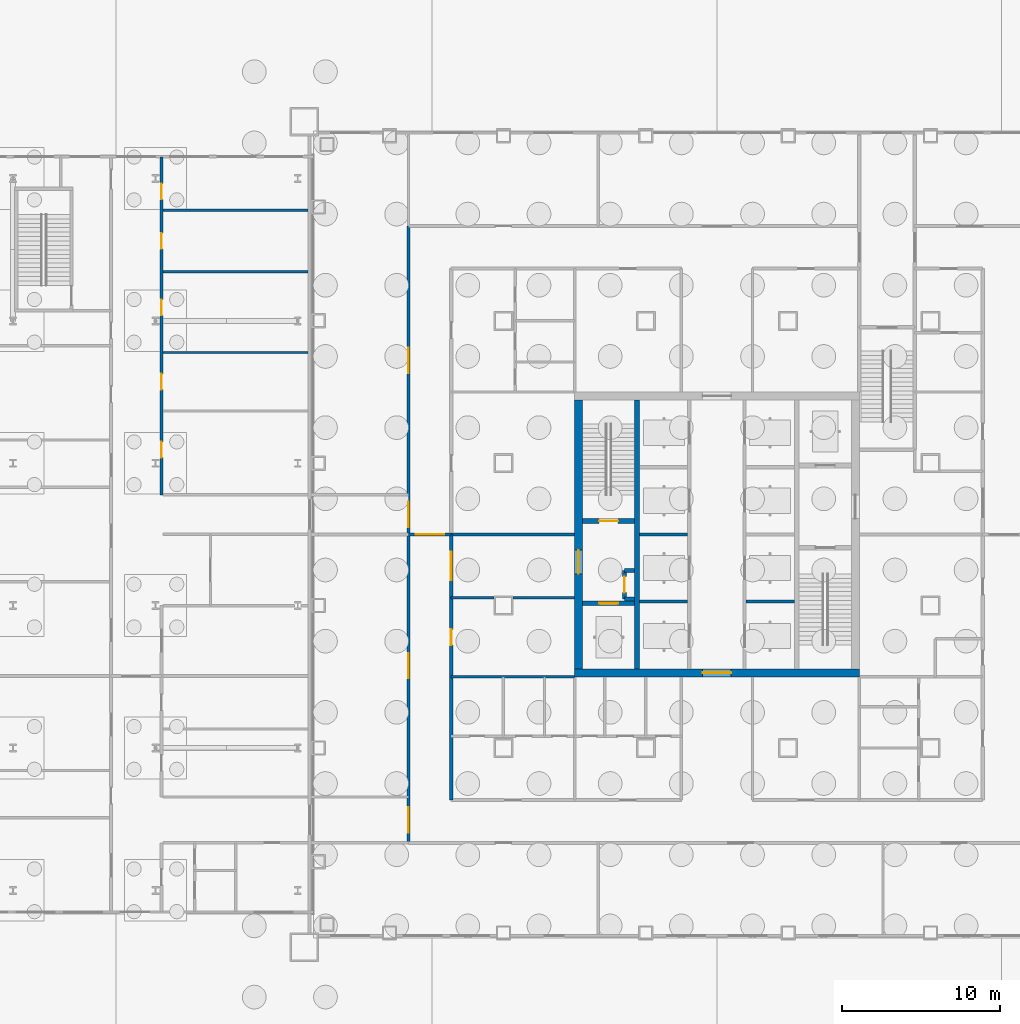
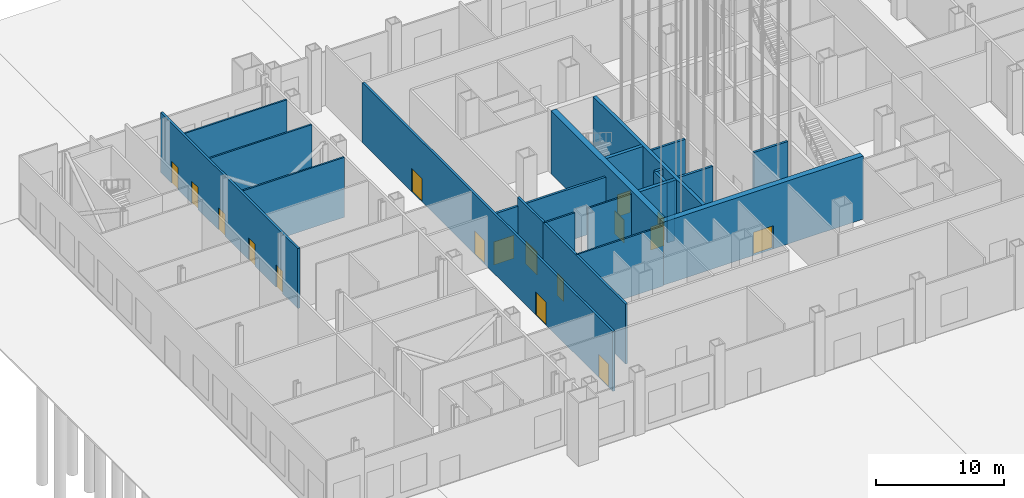
# One storey, part 7 of 36: 23 walls, 17 doors, 17 openings.
"""IFC4 building model written with IfcOpenShell, lengths in metres."""

from ifc_helpers import new_model, si_unit, direction, frame, frame_2d, origin, place, context, subcontext, project, spatial, rectangle, extrude, material, layer, layer_set, type_object, element, fill, save


model = new_model("IFC4")

# Units and contexts
model_context = context("Model", 3, precision=1e-05, world=origin(), true_north=direction((0.0, 1.0)))
body_context = subcontext(model_context, "Body", "Model", "MODEL_VIEW")
ifc_project = project(units=[si_unit("LENGTHUNIT", "METRE"), si_unit("AREAUNIT", "SQUARE_METRE"), si_unit("VOLUMEUNIT", "CUBIC_METRE"), si_unit("PLANEANGLEUNIT", "RADIAN"), si_unit("MASSUNIT", "GRAM", prefix="KILO")], contexts=[model_context])

# Site, building, storey
site_placement = place(None, origin())
site = spatial("IfcSite", under=ifc_project, at=site_placement, CompositionType="ELEMENT")
building_placement = place(site_placement, origin())
building = spatial("IfcBuilding", under=site, at=building_placement, Name="Malebo Sky Hospital", CompositionType="ELEMENT")
storey_placement = place(building_placement, origin())
storey = spatial("IfcBuildingStorey", under=building, at=storey_placement, Name="L00", CompositionType="ELEMENT", Elevation=0.0)

# Walls
ifc_material_1 = material(Name="Concrete C80/95", Category="concrete")
ifc_layer_1 = layer(ifc_material_1, 0.199951171875)
ifc_layer_set_1 = layer_set([ifc_layer_1], Name="CORE INNER WALL 200")
wall_type_1 = type_object("IfcWallType", Name="CORE INNER WALL 200", PredefinedType="SHEAR", material=ifc_layer_set_1)
for number, where, z_axis, x_axis, name in (
    (1, (55.10009765625, 57.75, 0.0), (0.0, 0.0, 1.0), (1.0, 0.0, 0.0), "Core wall SW0 L00"),
    (2, (61.85009765625, 57.75, 0.0), (0.0, 0.0, 1.0), (1.0, 0.0, 0.0), "Core wall SE0 L00"),
    (3, (55.10009765625, 62.0, 0.0), (0.0, 0.0, 1.0), (1.0, 0.0, 0.0), "Core wall SW1 L00"),
):
    element("IfcWall", number, at=place(storey_placement, frame(where, z_axis=z_axis, x_axis=x_axis)), inside=storey, type_object=wall_type_1, Name=name, PredefinedType="SHEAR", context=body_context, shape_type="SweptSolid", body=[
        extrude(rectangle(XDim=3.0498046875, YDim=0.199951171875, at=frame_2d((1.52490234375, 0.0))), origin(), (0.0, 0.0, 1.0), 6.0),
    ])
ifc_layer_2 = layer(ifc_material_1, 0.300048828125)
ifc_layer_set_2 = layer_set([ifc_layer_2], Name="CORE INNER WALL 300")
wall_type_2 = type_object("IfcWallType", Name="CORE INNER WALL 300", PredefinedType="SHEAR", material=ifc_layer_set_2)
wall_1_placement = place(storey_placement, frame((54.949951171875, 53.5, 0.0), z_axis=(0.0, 0.0, 1.0), x_axis=(0.0, 1.0, 0.0)))
element("IfcWall", 4, at=wall_1_placement, inside=storey, type_object=wall_type_2, Name="Core wall XW L00", PredefinedType="SHEAR", context=body_context, shape_type="SweptSolid", body=[
    extrude(rectangle(XDim=17.0, YDim=0.300048828125, at=frame_2d((8.5, 0.0))), origin(), (0.0, 0.0, 1.0), 6.0),
])

# Wall, opening, door
wall_2_placement = place(storey_placement, frame((51.5, 62.85009765625, 0.0), z_axis=(0.0, 0.0, 1.0), x_axis=(1.0, 0.0, 0.0)))
wall_2 = element("IfcWall", 5, at=wall_2_placement, inside=storey, type_object=wall_type_2, Name="Core wall W1 L00", PredefinedType="SHEAR", context=body_context, shape_type="SweptSolid", body=[
    extrude(rectangle(XDim=3.300048828125, YDim=0.300048828125, at=frame_2d((1.64990234375, 0.0))), origin(), (0.0, 0.0, 1.0), 6.0),
])
opening_1_placement = place(wall_2_placement, frame((1.050048828125, 0.0, 0.0)))
opening_1 = element("IfcOpeningElement", 6, at=opening_1_placement, cuts=wall_2, Name="Opening D08", PredefinedType="OPENING", context=body_context, shape_type="SweptSolid", body=[
    extrude(rectangle(XDim=1.199951171875, YDim=2.10009765625, at=frame_2d((0.60009765625, 1.050048828125))), frame((0.0, 0.159912109375, 0.0), z_axis=(0.0, -1.0, 0.0), x_axis=(1.0, 0.0, 0.0)), (0.0, 0.0, 1.0), 0.320068359375),
])
ifc_material_2 = material(Name="Hardwood-faced door leaf in steel frame", Category="steel")
door_type_1 = type_object("IfcDoorType", Name="STAIR DOOR 1200", OperationType="SINGLE_SWING_LEFT", PredefinedType="DOOR", material=ifc_material_2)
door_1_placement = place(opening_1_placement, origin())
door_1 = element("IfcDoor", 7, at=door_1_placement, inside=storey, type_object=door_type_1, Name="Stair S1 door", OperationType="SINGLE_SWING_LEFT", OverallHeight=2.10009765625, OverallWidth=1.199951171875, PredefinedType="DOOR", context=body_context, shape_type="SweptSolid", body=[
    extrude(rectangle(XDim=1.199951171875, YDim=2.10009765625, at=frame_2d((0.60009765625, 1.050048828125))), frame((0.0, 0.02490234375, 0.0), z_axis=(0.0, -1.0, 0.0), x_axis=(1.0, 0.0, 0.0)), (0.0, 0.0, 1.0), 0.050048828125),
])
fill(opening_1, door_1)

wall_3_placement = place(storey_placement, frame((51.5, 57.64990234375, 0.0), z_axis=(0.0, 0.0, 1.0), x_axis=(1.0, 0.0, 0.0)))
wall_3 = element("IfcWall", 8, at=wall_3_placement, inside=storey, type_object=wall_type_2, Name="Core wall W2 L00", PredefinedType="SHEAR", context=body_context, shape_type="SweptSolid", body=[
    extrude(rectangle(XDim=3.300048828125, YDim=0.300048828125, at=frame_2d((1.64990234375, 0.0))), origin(), (0.0, 0.0, 1.0), 6.0),
])
opening_2_placement = place(wall_3_placement, frame((1.050048828125, 0.0, 0.0)))
opening_2 = element("IfcOpeningElement", 9, at=opening_2_placement, cuts=wall_3, Name="Opening LD2", PredefinedType="OPENING", context=body_context, shape_type="SweptSolid", body=[
    extrude(rectangle(XDim=1.199951171875, YDim=2.199951171875, at=frame_2d((0.60009765625, 1.10009765625))), frame((0.0, 0.159912109375, 0.0), z_axis=(0.0, -1.0, 0.0), x_axis=(1.0, 0.0, 0.0)), (0.0, 0.0, 1.0), 0.320068359375),
])
ifc_material_3 = material(Name="Stainless steel sliding landing door", Category="steel")
door_type_2 = type_object("IfcDoorType", Name="FIRE-FIGHTING LIFT LANDING DOOR 1200", OperationType="SLIDING_TO_LEFT", PredefinedType="DOOR", material=ifc_material_3)
door_2_placement = place(opening_2_placement, origin())
door_2 = element("IfcDoor", 10, at=door_2_placement, inside=storey, type_object=door_type_2, Name="Lift FL1 landing door", OperationType="SLIDING_TO_LEFT", OverallHeight=2.199951171875, OverallWidth=1.199951171875, PredefinedType="DOOR", context=body_context, shape_type="SweptSolid", body=[
    extrude(rectangle(XDim=1.199951171875, YDim=2.199951171875, at=frame_2d((0.60009765625, 1.10009765625))), frame((0.0, 0.02490234375, 0.0), z_axis=(0.0, -1.0, 0.0), x_axis=(1.0, 0.0, 0.0)), (0.0, 0.0, 1.0), 0.050048828125),
])
fill(opening_2, door_2)

ifc_layer_3 = layer(ifc_material_1, 0.5)
ifc_layer_set_3 = layer_set([ifc_layer_3], Name="CORE WALL 500")
wall_type_3 = type_object("IfcWallType", Name="CORE WALL 500", PredefinedType="SHEAR", material=ifc_layer_set_3)
wall_4_placement = place(storey_placement, frame((51.0, 53.25, 0.0), z_axis=(0.0, 0.0, 1.0), x_axis=(1.0, 0.0, 0.0)))
wall_4 = element("IfcWall", 11, at=wall_4_placement, inside=storey, type_object=wall_type_3, Name="Core wall S L00", PredefinedType="SHEAR", context=body_context, shape_type="SweptSolid", body=[
    extrude(rectangle(XDim=18.0, YDim=0.5, at=frame_2d((9.0, 0.0))), origin(), (0.0, 0.0, 1.0), 6.0),
])
opening_3_placement = place(wall_4_placement, frame((8.10009765625, 0.0, 0.0)))
opening_3 = element("IfcOpeningElement", 12, at=opening_3_placement, cuts=wall_4, Name="Opening D06", PredefinedType="OPENING", context=body_context, shape_type="SweptSolid", body=[
    extrude(rectangle(XDim=1.800048828125, YDim=2.199951171875, at=frame_2d((0.89990234375, 1.10009765625))), frame((0.0, 0.260009765625, 0.0), z_axis=(0.0, -1.0, 0.0), x_axis=(1.0, 0.0, 0.0)), (0.0, 0.0, 1.0), 0.52001953125),
])
door_type_3 = type_object("IfcDoorType", Name="LOBBY DOOR PAIR 1800", OperationType="DOUBLE_DOOR_SINGLE_SWING", PredefinedType="DOOR", material=ifc_material_2)
door_3_placement = place(opening_3_placement, origin())
door_3 = element("IfcDoor", 13, at=door_3_placement, inside=storey, type_object=door_type_3, Name="Lift lobby door south", OperationType="DOUBLE_DOOR_SINGLE_SWING", OverallHeight=2.199951171875, OverallWidth=1.800048828125, PredefinedType="DOOR", context=body_context, shape_type="SweptSolid", body=[
    extrude(rectangle(XDim=1.800048828125, YDim=2.199951171875, at=frame_2d((0.89990234375, 1.10009765625))), frame((0.0, 0.02490234375, 0.0), z_axis=(0.0, -1.0, 0.0), x_axis=(1.0, 0.0, 0.0)), (0.0, 0.0, 1.0), 0.050048828125),
])
fill(opening_3, door_3)

wall_5_placement = place(storey_placement, frame((51.25, 53.5, 0.0), z_axis=(0.0, 0.0, 1.0), x_axis=(0.0, 1.0, 0.0)))
wall_5 = element("IfcWall", 14, at=wall_5_placement, inside=storey, type_object=wall_type_3, Name="Core wall W L00", PredefinedType="SHEAR", context=body_context, shape_type="SweptSolid", body=[
    extrude(rectangle(XDim=17.0, YDim=0.5, at=frame_2d((8.5, 0.0))), origin(), (0.0, 0.0, 1.0), 6.0),
])
opening_4_placement = place(wall_5_placement, frame((6.0, 0.0, 0.0)))
opening_4 = element("IfcOpeningElement", 15, at=opening_4_placement, cuts=wall_5, Name="Opening D07", PredefinedType="OPENING", context=body_context, shape_type="SweptSolid", body=[
    extrude(rectangle(XDim=1.5, YDim=2.199951171875, at=frame_2d((0.75, 1.10009765625))), frame((0.0, 0.260009765625, 0.0), z_axis=(0.0, -1.0, 0.0), x_axis=(1.0, 0.0, 0.0)), (0.0, 0.0, 1.0), 0.52001953125),
])
door_type_4 = type_object("IfcDoorType", Name="FIRE-FIGHTING LOBBY DOOR PAIR 1500", OperationType="DOUBLE_DOOR_SINGLE_SWING", PredefinedType="DOOR", material=ifc_material_2)
door_4_placement = place(opening_4_placement, origin())
door_4 = element("IfcDoor", 16, at=door_4_placement, inside=storey, type_object=door_type_4, Name="Fire-fighting lobby door west", OperationType="DOUBLE_DOOR_SINGLE_SWING", OverallHeight=2.199951171875, OverallWidth=1.5, PredefinedType="DOOR", context=body_context, shape_type="SweptSolid", body=[
    extrude(rectangle(XDim=1.5, YDim=2.199951171875, at=frame_2d((0.75, 1.10009765625))), frame((0.0, 0.02490234375, 0.0), z_axis=(0.0, -1.0, 0.0), x_axis=(1.0, 0.0, 0.0)), (0.0, 0.0, 1.0), 0.050048828125),
])
fill(opening_4, door_4)

# Wall, openings, doors
ifc_material_4 = material(Name="Gypsum board on steel studs", Category="steel")
ifc_layer_4 = layer(ifc_material_4, 0.199951171875)
ifc_layer_set_4 = layer_set([ifc_layer_4], Name="CORRIDOR WALL 200")
wall_type_4 = type_object("IfcWallType", Name="CORRIDOR WALL 200", PredefinedType="PARTITIONING", material=ifc_layer_set_4)
wall_6_placement = place(storey_placement, frame((40.5, 42.5, 0.0), z_axis=(0.0, 0.0, 1.0), x_axis=(0.0, 1.0, 0.0)))
wall_6 = element("IfcWall", 17, at=wall_6_placement, inside=storey, type_object=wall_type_4, Name="Corridor Wall 200 WCO", PredefinedType="PARTITIONING", context=body_context, shape_type="SweptSolid", body=[
    extrude(rectangle(XDim=39.0, YDim=0.199951171875, at=frame_2d((19.5, 0.0))), origin(), (0.0, 0.0, 1.0), 5.699951171875),
])
opening_5_placement = place(wall_6_placement, frame((0.64990234375, 0.0, 0.0)))
opening_5 = element("IfcOpeningElement", 18, at=opening_5_placement, cuts=wall_6, Name="Opening D14", PredefinedType="OPENING", context=body_context, shape_type="SweptSolid", body=[
    extrude(rectangle(XDim=1.60009765625, YDim=2.199951171875, at=frame_2d((0.800048828125, 1.10009765625))), frame((0.0, 0.10986328125, 0.0), z_axis=(0.0, -1.0, 0.0), x_axis=(1.0, 0.0, 0.0)), (0.0, 0.0, 1.0), 0.219970703125),
])
opening_6_placement = place(wall_6_placement, frame((10.39990234375, 0.0, 0.0)))
opening_6 = element("IfcOpeningElement", 19, at=opening_6_placement, cuts=wall_6, Name="Opening D14", PredefinedType="OPENING", context=body_context, shape_type="SweptSolid", body=[
    extrude(rectangle(XDim=1.60009765625, YDim=2.199951171875, at=frame_2d((0.800048828125, 1.10009765625))), frame((0.0, 0.10986328125, 0.0), z_axis=(0.0, -1.0, 0.0), x_axis=(1.0, 0.0, 0.0)), (0.0, 0.0, 1.0), 0.219970703125),
])
opening_7_placement = place(wall_6_placement, frame((19.949951171875, 0.0, 0.0)))
opening_7 = element("IfcOpeningElement", 20, at=opening_7_placement, cuts=wall_6, Name="Opening D14", PredefinedType="OPENING", context=body_context, shape_type="SweptSolid", body=[
    extrude(rectangle(XDim=1.60009765625, YDim=2.199951171875, at=frame_2d((0.800048828125, 1.10009765625))), frame((0.0, 0.10986328125, 0.0), z_axis=(0.0, -1.0, 0.0), x_axis=(1.0, 0.0, 0.0)), (0.0, 0.0, 1.0), 0.219970703125),
])
opening_8_placement = place(wall_6_placement, frame((29.699951171875, 0.0, 0.0)))
opening_8 = element("IfcOpeningElement", 21, at=opening_8_placement, cuts=wall_6, Name="Opening D14", PredefinedType="OPENING", context=body_context, shape_type="SweptSolid", body=[
    extrude(rectangle(XDim=1.60009765625, YDim=2.199951171875, at=frame_2d((0.800048828125, 1.10009765625))), frame((0.0, 0.10986328125, 0.0), z_axis=(0.0, -1.0, 0.0), x_axis=(1.0, 0.0, 0.0)), (0.0, 0.0, 1.0), 0.219970703125),
])
door_type_5 = type_object("IfcDoorType", Name="DEPARTMENT DOOR PAIR 1600", OperationType="DOUBLE_DOOR_DOUBLE_SWING", PredefinedType="DOOR", material=ifc_material_2)
door_5_placement = place(opening_5_placement, origin())
door_5 = element("IfcDoor", 22, at=door_5_placement, inside=storey, type_object=door_type_5, Name="Link corridor door pair", OperationType="DOUBLE_DOOR_DOUBLE_SWING", OverallHeight=2.199951171875, OverallWidth=1.60009765625, PredefinedType="DOOR", context=body_context, shape_type="SweptSolid", body=[
    extrude(rectangle(XDim=1.60009765625, YDim=2.199951171875, at=frame_2d((0.800048828125, 1.10009765625))), frame((0.0, 0.02490234375, 0.0), z_axis=(0.0, -1.0, 0.0), x_axis=(1.0, 0.0, 0.0)), (0.0, 0.0, 1.0), 0.050048828125),
])
fill(opening_5, door_5)
door_6_placement = place(opening_6_placement, origin())
door_6 = element("IfcDoor", 23, at=door_6_placement, inside=storey, type_object=door_type_5, Name="Emergency waiting area door", OperationType="DOUBLE_DOOR_DOUBLE_SWING", OverallHeight=2.199951171875, OverallWidth=1.60009765625, PredefinedType="DOOR", context=body_context, shape_type="SweptSolid", body=[
    extrude(rectangle(XDim=1.60009765625, YDim=2.199951171875, at=frame_2d((0.800048828125, 1.10009765625))), frame((0.0, 0.02490234375, 0.0), z_axis=(0.0, -1.0, 0.0), x_axis=(1.0, 0.0, 0.0)), (0.0, 0.0, 1.0), 0.050048828125),
])
fill(opening_6, door_6)
door_7_placement = place(opening_7_placement, origin())
door_7 = element("IfcDoor", 24, at=door_7_placement, inside=storey, type_object=door_type_5, Name="Link corridor door pair", OperationType="DOUBLE_DOOR_DOUBLE_SWING", OverallHeight=2.199951171875, OverallWidth=1.60009765625, PredefinedType="DOOR", context=body_context, shape_type="SweptSolid", body=[
    extrude(rectangle(XDim=1.60009765625, YDim=2.199951171875, at=frame_2d((0.800048828125, 1.10009765625))), frame((0.0, 0.02490234375, 0.0), z_axis=(0.0, -1.0, 0.0), x_axis=(1.0, 0.0, 0.0)), (0.0, 0.0, 1.0), 0.050048828125),
])
fill(opening_7, door_7)
door_8_placement = place(opening_8_placement, origin())
door_8 = element("IfcDoor", 25, at=door_8_placement, inside=storey, type_object=door_type_5, Name="Paediatric emergency waiting area door", OperationType="DOUBLE_DOOR_DOUBLE_SWING", OverallHeight=2.199951171875, OverallWidth=1.60009765625, PredefinedType="DOOR", context=body_context, shape_type="SweptSolid", body=[
    extrude(rectangle(XDim=1.60009765625, YDim=2.199951171875, at=frame_2d((0.800048828125, 1.10009765625))), frame((0.0, 0.02490234375, 0.0), z_axis=(0.0, -1.0, 0.0), x_axis=(1.0, 0.0, 0.0)), (0.0, 0.0, 1.0), 0.050048828125),
])
fill(opening_8, door_8)

# Wall, opening, door
wall_7_placement = place(storey_placement, frame((43.199951171875, 45.199951171875, 0.0), z_axis=(0.0, 0.0, 1.0), x_axis=(0.0, 1.0, 0.0)))
wall_7 = element("IfcWall", 26, at=wall_7_placement, inside=storey, type_object=wall_type_4, Name="Corridor Wall 200 WCI1", PredefinedType="PARTITIONING", context=body_context, shape_type="SweptSolid", body=[
    extrude(rectangle(XDim=12.800048828125, YDim=0.199951171875, at=frame_2d((6.39990234375, 0.0))), origin(), (0.0, 0.0, 1.0), 5.699951171875),
])
opening_9_placement = place(wall_7_placement, frame((9.800048828125, 0.0, 0.0)))
opening_9 = element("IfcOpeningElement", 27, at=opening_9_placement, cuts=wall_7, Name="Opening D03", PredefinedType="OPENING", context=body_context, shape_type="SweptSolid", body=[
    extrude(rectangle(XDim=1.0, YDim=2.10009765625, at=frame_2d((0.5, 1.050048828125))), frame((0.0, 0.10986328125, 0.0), z_axis=(0.0, -1.0, 0.0), x_axis=(1.0, 0.0, 0.0)), (0.0, 0.0, 1.0), 0.219970703125),
])
door_type_6 = type_object("IfcDoorType", Name="ROOM DOOR 1000", OperationType="SINGLE_SWING_LEFT", PredefinedType="DOOR", material=ifc_material_2)
door_9_placement = place(opening_9_placement, origin())
door_9 = element("IfcDoor", 28, at=door_9_placement, inside=storey, type_object=door_type_6, Name="Security office door", OperationType="SINGLE_SWING_LEFT", OverallHeight=2.10009765625, OverallWidth=1.0, PredefinedType="DOOR", context=body_context, shape_type="SweptSolid", body=[
    extrude(rectangle(XDim=1.0, YDim=2.10009765625, at=frame_2d((0.5, 1.050048828125))), frame((0.0, 0.02490234375, 0.0), z_axis=(0.0, -1.0, 0.0), x_axis=(1.0, 0.0, 0.0)), (0.0, 0.0, 1.0), 0.050048828125),
])
fill(opening_9, door_9)

# Wall, openings, doors
wall_8_placement = place(storey_placement, frame((24.882080078125, 64.5, 0.0), z_axis=(0.0, 0.0, 1.0), x_axis=(0.0, 1.0, 0.0)))
wall_8 = element("IfcWall", 29, at=wall_8_placement, inside=storey, type_object=wall_type_4, Name="Corridor Wall 200 WWC2C", PredefinedType="PARTITIONING", context=body_context, shape_type="SweptSolid", body=[
    extrude(rectangle(XDim=21.35009765625, YDim=0.199951171875, at=frame_2d((10.675048828125, 0.0))), origin(), (0.0, 0.0, 1.0), 5.699951171875),
])
opening_10_placement = place(wall_8_placement, frame((2.35009765625, 0.0, 0.0)))
opening_10 = element("IfcOpeningElement", 30, at=opening_10_placement, cuts=wall_8, Name="Opening D03", PredefinedType="OPENING", context=body_context, shape_type="SweptSolid", body=[
    extrude(rectangle(XDim=1.0, YDim=2.10009765625, at=frame_2d((0.5, 1.050048828125))), frame((0.0, 0.10986328125, 0.0), z_axis=(0.0, -1.0, 0.0), x_axis=(1.0, 0.0, 0.0)), (0.0, 0.0, 1.0), 0.219970703125),
])
opening_11_placement = place(wall_8_placement, frame((6.64990234375, 0.0, 0.0)))
opening_11 = element("IfcOpeningElement", 31, at=opening_11_placement, cuts=wall_8, Name="Opening D03", PredefinedType="OPENING", context=body_context, shape_type="SweptSolid", body=[
    extrude(rectangle(XDim=1.0, YDim=2.10009765625, at=frame_2d((0.5, 1.050048828125))), frame((0.0, 0.10986328125, 0.0), z_axis=(0.0, -1.0, 0.0), x_axis=(1.0, 0.0, 0.0)), (0.0, 0.0, 1.0), 0.219970703125),
])
opening_12_placement = place(wall_8_placement, frame((11.35009765625, 0.0, 0.0)))
opening_12 = element("IfcOpeningElement", 32, at=opening_12_placement, cuts=wall_8, Name="Opening D03", PredefinedType="OPENING", context=body_context, shape_type="SweptSolid", body=[
    extrude(rectangle(XDim=1.0, YDim=2.10009765625, at=frame_2d((0.5, 1.050048828125))), frame((0.0, 0.10986328125, 0.0), z_axis=(0.0, -1.0, 0.0), x_axis=(1.0, 0.0, 0.0)), (0.0, 0.0, 1.0), 0.219970703125),
])
opening_13_placement = place(wall_8_placement, frame((15.550048828125, 0.0, 0.0)))
opening_13 = element("IfcOpeningElement", 33, at=opening_13_placement, cuts=wall_8, Name="Opening D03", PredefinedType="OPENING", context=body_context, shape_type="SweptSolid", body=[
    extrude(rectangle(XDim=1.0, YDim=2.10009765625, at=frame_2d((0.5, 1.050048828125))), frame((0.0, 0.10986328125, 0.0), z_axis=(0.0, -1.0, 0.0), x_axis=(1.0, 0.0, 0.0)), (0.0, 0.0, 1.0), 0.219970703125),
])
opening_14_placement = place(wall_8_placement, frame((18.675048828125, 0.0, 0.0)))
opening_14 = element("IfcOpeningElement", 34, at=opening_14_placement, cuts=wall_8, Name="Opening D03", PredefinedType="OPENING", context=body_context, shape_type="SweptSolid", body=[
    extrude(rectangle(XDim=1.0, YDim=2.10009765625, at=frame_2d((0.5, 1.050048828125))), frame((0.0, 0.10986328125, 0.0), z_axis=(0.0, -1.0, 0.0), x_axis=(1.0, 0.0, 0.0)), (0.0, 0.0, 1.0), 0.219970703125),
])
door_10_placement = place(opening_10_placement, origin())
door_10 = element("IfcDoor", 35, at=door_10_placement, inside=storey, type_object=door_type_6, Name="Relatives room door", OperationType="SINGLE_SWING_RIGHT", OverallHeight=2.10009765625, OverallWidth=1.0, PredefinedType="DOOR", context=body_context, shape_type="SweptSolid", body=[
    extrude(rectangle(XDim=1.0, YDim=2.10009765625, at=frame_2d((0.5, 1.050048828125))), frame((0.0, 0.02490234375, 0.0), z_axis=(0.0, -1.0, 0.0), x_axis=(1.0, 0.0, 0.0)), (0.0, 0.0, 1.0), 0.050048828125),
])
fill(opening_10, door_10)
door_11_placement = place(opening_11_placement, origin())
door_11 = element("IfcDoor", 36, at=door_11_placement, inside=storey, type_object=door_type_6, Name="Mental health assessment room door", OperationType="SINGLE_SWING_LEFT", OverallHeight=2.10009765625, OverallWidth=1.0, PredefinedType="DOOR", context=body_context, shape_type="SweptSolid", body=[
    extrude(rectangle(XDim=1.0, YDim=2.10009765625, at=frame_2d((0.5, 1.050048828125))), frame((0.0, 0.02490234375, 0.0), z_axis=(0.0, -1.0, 0.0), x_axis=(1.0, 0.0, 0.0)), (0.0, 0.0, 1.0), 0.050048828125),
])
fill(opening_11, door_11)
door_12_placement = place(opening_12_placement, origin())
door_12 = element("IfcDoor", 37, at=door_12_placement, inside=storey, type_object=door_type_6, Name="Dirty utility room door", OperationType="SINGLE_SWING_RIGHT", OverallHeight=2.10009765625, OverallWidth=1.0, PredefinedType="DOOR", context=body_context, shape_type="SweptSolid", body=[
    extrude(rectangle(XDim=1.0, YDim=2.10009765625, at=frame_2d((0.5, 1.050048828125))), frame((0.0, 0.02490234375, 0.0), z_axis=(0.0, -1.0, 0.0), x_axis=(1.0, 0.0, 0.0)), (0.0, 0.0, 1.0), 0.050048828125),
])
fill(opening_12, door_12)
door_13_placement = place(opening_13_placement, origin())
door_13 = element("IfcDoor", 38, at=door_13_placement, inside=storey, type_object=door_type_6, Name="Clean utility room door", OperationType="SINGLE_SWING_LEFT", OverallHeight=2.10009765625, OverallWidth=1.0, PredefinedType="DOOR", context=body_context, shape_type="SweptSolid", body=[
    extrude(rectangle(XDim=1.0, YDim=2.10009765625, at=frame_2d((0.5, 1.050048828125))), frame((0.0, 0.02490234375, 0.0), z_axis=(0.0, -1.0, 0.0), x_axis=(1.0, 0.0, 0.0)), (0.0, 0.0, 1.0), 0.050048828125),
])
fill(opening_13, door_13)
door_14_placement = place(opening_14_placement, origin())
door_14 = element("IfcDoor", 39, at=door_14_placement, inside=storey, type_object=door_type_6, Name="Emergency linen store door", OperationType="SINGLE_SWING_LEFT", OverallHeight=2.10009765625, OverallWidth=1.0, PredefinedType="DOOR", context=body_context, shape_type="SweptSolid", body=[
    extrude(rectangle(XDim=1.0, YDim=2.10009765625, at=frame_2d((0.5, 1.050048828125))), frame((0.0, 0.02490234375, 0.0), z_axis=(0.0, -1.0, 0.0), x_axis=(1.0, 0.0, 0.0)), (0.0, 0.0, 1.0), 0.050048828125),
])
fill(opening_14, door_14)

# Wall, opening, door
wall_9_placement = place(storey_placement, frame((43.199951171875, 58.0, 0.0), z_axis=(0.0, 0.0, 1.0), x_axis=(0.0, 1.0, 0.0)))
wall_9 = element("IfcWall", 40, at=wall_9_placement, inside=storey, type_object=wall_type_4, Name="Corridor Wall 200 WCIP", PredefinedType="PARTITIONING", context=body_context, shape_type="SweptSolid", body=[
    extrude(rectangle(XDim=4.0, YDim=0.199951171875, at=frame_2d((2.0, 0.0))), origin(), (0.0, 0.0, 1.0), 5.699951171875),
])
opening_15_placement = place(wall_9_placement, frame((1.10009765625, 0.0, 0.0)))
opening_15 = element("IfcOpeningElement", 41, at=opening_15_placement, cuts=wall_9, Name="Opening D28", PredefinedType="OPENING", context=body_context, shape_type="SweptSolid", body=[
    extrude(rectangle(XDim=1.800048828125, YDim=2.199951171875, at=frame_2d((0.89990234375, 1.10009765625))), frame((0.0, 0.10986328125, 0.0), z_axis=(0.0, -1.0, 0.0), x_axis=(1.0, 0.0, 0.0)), (0.0, 0.0, 1.0), 0.219970703125),
])
door_type_7 = type_object("IfcDoorType", Name="FIRE DOOR PAIR 1800", OperationType="DOUBLE_DOOR_SINGLE_SWING", PredefinedType="DOOR", material=ifc_material_2)
door_15_placement = place(opening_15_placement, origin())
door_15 = element("IfcDoor", 42, at=door_15_placement, inside=storey, type_object=door_type_7, Name="Core passage fire door pair", OperationType="DOUBLE_DOOR_SINGLE_SWING", OverallHeight=2.199951171875, OverallWidth=1.800048828125, PredefinedType="DOOR", context=body_context, shape_type="SweptSolid", body=[
    extrude(rectangle(XDim=1.800048828125, YDim=2.199951171875, at=frame_2d((0.89990234375, 1.10009765625))), frame((0.0, 0.02490234375, 0.0), z_axis=(0.0, -1.0, 0.0), x_axis=(1.0, 0.0, 0.0)), (0.0, 0.0, 1.0), 0.050048828125),
])
fill(opening_15, door_15)

# Walls
ifc_layer_5 = layer(ifc_material_4, 0.14990234375)
ifc_layer_set_5 = layer_set([ifc_layer_5], Name="PARTITION 150")
wall_type_5 = type_object("IfcWallType", Name="PARTITION 150", PredefinedType="PARTITIONING", material=ifc_layer_set_5)
wall_10_placement = place(storey_placement, frame((51.0, 53.0, 0.0), z_axis=(0.0, 0.0, 1.0), x_axis=(-1.0, 0.0, 0.0)))
element("IfcWall", 43, at=wall_10_placement, inside=storey, type_object=wall_type_5, Name="Partition 150 WSPM", PredefinedType="PARTITIONING", context=body_context, shape_type="SweptSolid", body=[
    extrude(rectangle(XDim=7.800048828125, YDim=0.14990234375, at=frame_2d((3.89990234375, 0.0))), origin(), (0.0, 0.0, 1.0), 5.699951171875),
])
wall_11_placement = place(storey_placement, frame((51.0, 58.0, 0.0), z_axis=(0.0, 0.0, 1.0), x_axis=(-1.0, 0.0, 0.0)))
element("IfcWall", 44, at=wall_11_placement, inside=storey, type_object=wall_type_5, Name="Partition 150 WSPA", PredefinedType="PARTITIONING", context=body_context, shape_type="SweptSolid", body=[
    extrude(rectangle(XDim=3.89990234375, YDim=0.14990234375, at=frame_2d((1.949951171875, 0.0))), origin(), (0.0, 0.0, 1.0), 5.699951171875),
])
wall_12_placement = place(storey_placement, frame((45.89990234375, 58.0, 0.0), z_axis=(0.0, 0.0, 1.0), x_axis=(-1.0, 0.0, 0.0)))
element("IfcWall", 45, at=wall_12_placement, inside=storey, type_object=wall_type_5, Name="Partition 150 WSPA", PredefinedType="PARTITIONING", context=body_context, shape_type="SweptSolid", body=[
    extrude(rectangle(XDim=2.699951171875, YDim=0.14990234375, at=frame_2d((1.35009765625, 0.0))), origin(), (0.0, 0.0, 1.0), 5.699951171875),
])
for number, where, z_axis, x_axis, name in (
    (46, (24.98193359375, 73.5, 0.0), (0.0, 0.0, 1.0), (1.0, 0.0, 0.0), "Partition 150 WIH09"),
    (47, (24.98193359375, 78.60009765625, 0.0), (0.0, 0.0, 1.0), (1.0, 0.0, 0.0), "Partition 150 WIH10"),
    (48, (24.98193359375, 82.5, 0.0), (0.0, 0.0, 1.0), (1.0, 0.0, 0.0), "Partition 150 WIH11"),
):
    element("IfcWall", number, at=place(storey_placement, frame(where, z_axis=z_axis, x_axis=x_axis)), inside=storey, type_object=wall_type_5, Name=name, PredefinedType="PARTITIONING", context=body_context, shape_type="SweptSolid", body=[
        extrude(rectangle(XDim=9.16796875, YDim=0.14990234375, at=frame_2d((4.583984375, 0.0))), origin(), (0.0, 0.0, 1.0), 5.699951171875),
    ])
ifc_material_5 = material(Name="Concrete blockwork", Category="masonry")
ifc_layer_6 = layer(ifc_material_5, 0.25)
ifc_layer_set_6 = layer_set([ifc_layer_6], Name="PLANT ROOM WALL 250")
wall_type_6 = type_object("IfcWallType", Name="PLANT ROOM WALL 250", PredefinedType="SOLIDWALL", material=ifc_layer_set_6)
wall_13_placement = place(storey_placement, frame((54.800048828125, 59.72509765625, 0.0), z_axis=(0.0, 0.0, 1.0), x_axis=(-1.0, 0.0, 0.0)))
element("IfcWall", 49, at=wall_13_placement, inside=storey, type_object=wall_type_6, Name="Plant Room Wall 250 DRN", PredefinedType="SOLIDWALL", context=body_context, shape_type="SweptSolid", body=[
    extrude(rectangle(XDim=0.650146484375, YDim=0.25, at=frame_2d((0.3251953125, 0.0))), origin(), (0.0, 0.0, 1.0), 5.699951171875),
])

# Wall, opening, door
wall_14_placement = place(storey_placement, frame((54.14990234375, 59.72509765625, 0.0), z_axis=(0.0, 0.0, 1.0), x_axis=(0.0, -1.0, 0.0)))
wall_14 = element("IfcWall", 50, at=wall_14_placement, inside=storey, type_object=wall_type_6, Name="Plant Room Wall 250 DRW", PredefinedType="SOLIDWALL", context=body_context, shape_type="SweptSolid", body=[
    extrude(rectangle(XDim=1.800048828125, YDim=0.25, at=frame_2d((0.89990234375, 0.0))), origin(), (0.0, 0.0, 1.0), 5.699951171875),
])
opening_16_placement = place(wall_14_placement, frame((0.39990234375, 0.0, 0.0)))
opening_16 = element("IfcOpeningElement", 51, at=opening_16_placement, cuts=wall_14, Name="Opening D17", PredefinedType="OPENING", context=body_context, shape_type="SweptSolid", body=[
    extrude(rectangle(XDim=1.0, YDim=2.10009765625, at=frame_2d((0.5, 1.050048828125))), frame((0.0, 0.135009765625, 0.0), z_axis=(0.0, -1.0, 0.0), x_axis=(1.0, 0.0, 0.0)), (0.0, 0.0, 1.0), 0.27001953125),
])
door_type_8 = type_object("IfcDoorType", Name="FIRE DOOR 1000", OperationType="SINGLE_SWING_LEFT", PredefinedType="DOOR", material=ifc_material_2)
door_16_placement = place(opening_16_placement, origin())
door_16 = element("IfcDoor", 52, at=door_16_placement, inside=storey, type_object=door_type_8, Name="Dry riser cupboard door", OperationType="SINGLE_SWING_LEFT", OverallHeight=2.10009765625, OverallWidth=1.0, PredefinedType="DOOR", context=body_context, shape_type="SweptSolid", body=[
    extrude(rectangle(XDim=1.0, YDim=2.10009765625, at=frame_2d((0.5, 1.050048828125))), frame((0.0, 0.02490234375, 0.0), z_axis=(0.0, -1.0, 0.0), x_axis=(1.0, 0.0, 0.0)), (0.0, 0.0, 1.0), 0.050048828125),
])
fill(opening_16, door_16)

# Walls
wall_15_placement = place(storey_placement, frame((54.14990234375, 57.925048828125, 0.0), z_axis=(0.0, 0.0, 1.0), x_axis=(1.0, 0.0, 0.0)))
element("IfcWall", 53, at=wall_15_placement, inside=storey, type_object=wall_type_6, Name="Plant Room Wall 250 DRS", PredefinedType="SOLIDWALL", context=body_context, shape_type="SweptSolid", body=[
    extrude(rectangle(XDim=0.650146484375, YDim=0.25, at=frame_2d((0.3251953125, 0.0))), origin(), (0.0, 0.0, 1.0), 5.699951171875),
])
ifc_layer_7 = layer(ifc_material_5, 0.199951171875)
ifc_layer_set_7 = layer_set([ifc_layer_7], Name="SMOKE BARRIER WALL 200")
wall_type_7 = type_object("IfcWallType", Name="SMOKE BARRIER WALL 200", PredefinedType="SOLIDWALL", material=ifc_layer_set_7)
wall_16_placement = place(storey_placement, frame((51.0, 62.0, 0.0), z_axis=(0.0, 0.0, 1.0), x_axis=(-1.0, 0.0, 0.0)))
element("IfcWall", 54, at=wall_16_placement, inside=storey, type_object=wall_type_7, Name="Smoke Barrier Wall 200 WSPB", PredefinedType="SOLIDWALL", context=body_context, shape_type="SweptSolid", body=[
    extrude(rectangle(XDim=7.800048828125, YDim=0.199951171875, at=frame_2d((3.89990234375, 0.0))), origin(), (0.0, 0.0, 1.0), 4.89990234375),
])

# Wall, opening, door
wall_17_placement = place(storey_placement, frame((43.199951171875, 62.0, 0.0), z_axis=(0.0, 0.0, 1.0), x_axis=(-1.0, 0.0, 0.0)))
wall_17 = element("IfcWall", 55, at=wall_17_placement, inside=storey, type_object=wall_type_7, Name="Smoke Barrier Wall 200 WSB", PredefinedType="SOLIDWALL", context=body_context, shape_type="SweptSolid", body=[
    extrude(rectangle(XDim=2.699951171875, YDim=0.199951171875, at=frame_2d((1.35009765625, 0.0))), origin(), (0.0, 0.0, 1.0), 4.89990234375),
])
opening_17_placement = place(wall_17_placement, frame((0.449951171875, 0.0, 0.0)))
opening_17 = element("IfcOpeningElement", 56, at=opening_17_placement, cuts=wall_17, Name="Opening D05", PredefinedType="OPENING", context=body_context, shape_type="SweptSolid", body=[
    extrude(rectangle(XDim=1.800048828125, YDim=2.199951171875, at=frame_2d((0.89990234375, 1.10009765625))), frame((0.0, 0.10986328125, 0.0), z_axis=(0.0, -1.0, 0.0), x_axis=(1.0, 0.0, 0.0)), (0.0, 0.0, 1.0), 0.219970703125),
])
door_type_9 = type_object("IfcDoorType", Name="SMOKE DOOR PAIR 1800", OperationType="DOUBLE_DOOR_DOUBLE_SWING", PredefinedType="DOOR", material=ifc_material_2)
door_17_placement = place(opening_17_placement, origin())
door_17 = element("IfcDoor", 57, at=door_17_placement, inside=storey, type_object=door_type_9, Name="Smoke compartment door pair", OperationType="DOUBLE_DOOR_DOUBLE_SWING", OverallHeight=2.199951171875, OverallWidth=1.800048828125, PredefinedType="DOOR", context=body_context, shape_type="SweptSolid", body=[
    extrude(rectangle(XDim=1.800048828125, YDim=2.199951171875, at=frame_2d((0.89990234375, 1.10009765625))), frame((0.0, 0.02490234375, 0.0), z_axis=(0.0, -1.0, 0.0), x_axis=(1.0, 0.0, 0.0)), (0.0, 0.0, 1.0), 0.050048828125),
])
fill(opening_17, door_17)

save(model, "model.ifc")
